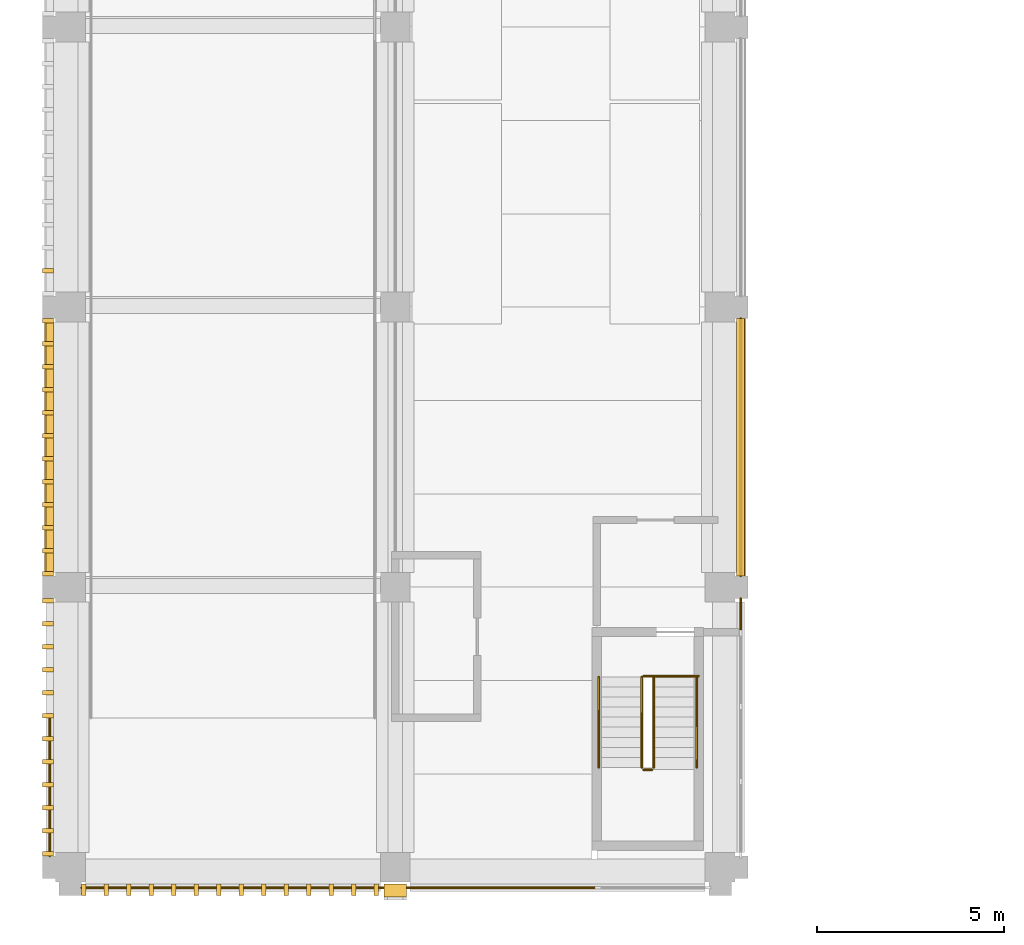
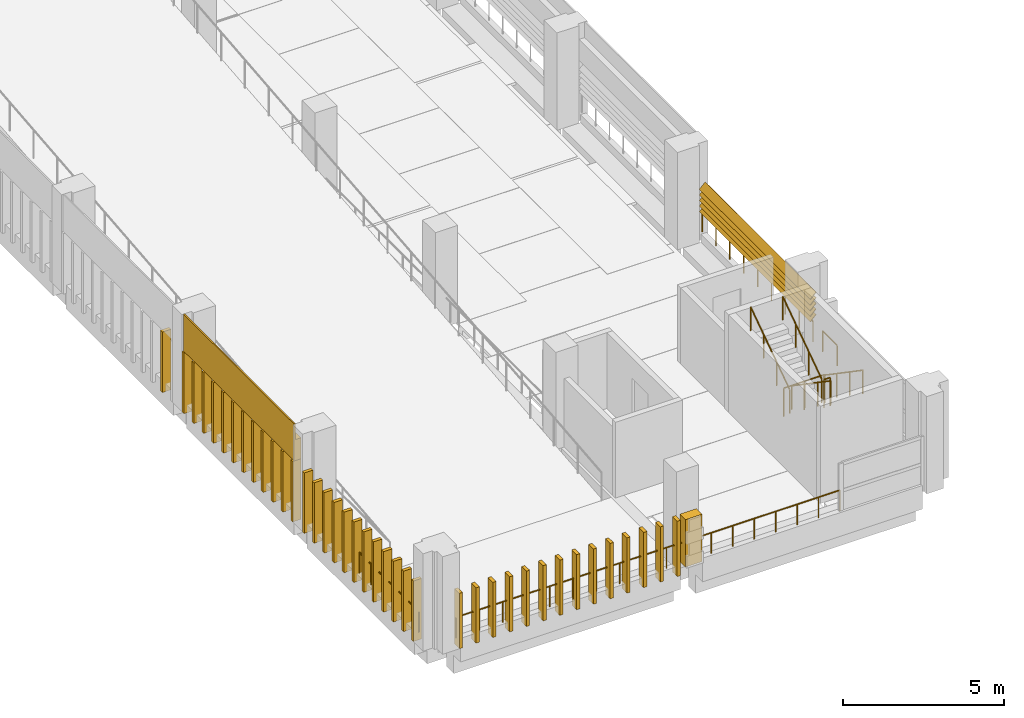
# One storey, part 48 of 62: 41 coverings, 11 railings, 5 shading devices.
"""IFC4 building model written with IfcOpenShell, lengths in metres."""

from ifc_helpers import new_model, si_unit, direction, frame, origin, origin_2d, place, context, subcontext, project, spatial, polyline, circle, outline, extrude, material, layer, layer_set, type_object, element, save


model = new_model("IFC4")

# Units and contexts
model_context = context("Model", 3, precision=1e-05, world=origin(), true_north=direction((0.0, 1.0)))
body_context = subcontext(model_context, "Body", "Model", "MODEL_VIEW")
ifc_project = project(units=[si_unit("LENGTHUNIT", "METRE"), si_unit("AREAUNIT", "SQUARE_METRE"), si_unit("VOLUMEUNIT", "CUBIC_METRE"), si_unit("PLANEANGLEUNIT", "RADIAN"), si_unit("MASSUNIT", "GRAM", prefix="KILO")], contexts=[model_context])

# Site, building, storey
site_placement = place(None, origin())
site = spatial("IfcSite", under=ifc_project, at=site_placement, CompositionType="ELEMENT")
building_placement = place(site_placement, origin())
building = spatial("IfcBuilding", under=site, at=building_placement, Name="Cour d'Honneur Mobility Palace", CompositionType="ELEMENT")
storey_placement = place(building_placement, frame((0.0, 0.0, 19.300048828125)))
storey = spatial("IfcBuildingStorey", under=building, at=storey_placement, Name="L05", CompositionType="ELEMENT", Elevation=19.300048828125)

# Railings
ifc_material_1 = material(Name="Painted steel", Category="steel")
railing_type_1 = type_object("IfcRailingType", Name="Balustrade", PredefinedType="BALUSTRADE", material=ifc_material_1)
railing_1_placement = place(storey_placement, frame((0.300048828125, -0.550048828125, 0.300048828125)))
element("IfcRailing", 1, at=railing_1_placement, inside=storey, type_object=railing_type_1, Name="Balustrade BAL-261", PredefinedType="BALUSTRADE", context=body_context, shape_type="SweptSolid", body=[
    extrude(circle(Radius=0.02392578125, at=origin_2d()), frame((0.0, 0.0, 0.77587890625), z_axis=(1.0, 0.0, 0.0), x_axis=(0.0, 1.0, 0.0)), (0.0, 0.0, 1.0), 8.39990234375),
    extrude(circle(Radius=0.02099609375, at=origin_2d()), origin(), (0.0, 0.0, 1.0), 0.751953125),
    extrude(circle(Radius=0.02099609375, at=origin_2d()), frame((0.840087890625, 0.0, 0.0)), (0.0, 0.0, 1.0), 0.751953125),
    extrude(circle(Radius=0.02099609375, at=origin_2d()), frame((1.679931640625, 0.0, 0.0)), (0.0, 0.0, 1.0), 0.751953125),
    extrude(circle(Radius=0.02099609375, at=origin_2d()), frame((2.52001953125, 0.0, 0.0)), (0.0, 0.0, 1.0), 0.751953125),
    extrude(circle(Radius=0.02099609375, at=origin_2d()), frame((3.35986328125, 0.0, 0.0)), (0.0, 0.0, 1.0), 0.751953125),
    extrude(circle(Radius=0.02099609375, at=origin_2d()), frame((4.199951171875, 0.0, 0.0)), (0.0, 0.0, 1.0), 0.751953125),
    extrude(circle(Radius=0.02099609375, at=origin_2d()), frame((5.0400390625, 0.0, 0.0)), (0.0, 0.0, 1.0), 0.751953125),
    extrude(circle(Radius=0.02099609375, at=origin_2d()), frame((5.8798828125, 0.0, 0.0)), (0.0, 0.0, 1.0), 0.751953125),
    extrude(circle(Radius=0.02099609375, at=origin_2d()), frame((6.719970703125, 0.0, 0.0)), (0.0, 0.0, 1.0), 0.751953125),
    extrude(circle(Radius=0.02099609375, at=origin_2d()), frame((7.559814453125, 0.0, 0.0)), (0.0, 0.0, 1.0), 0.751953125),
    extrude(circle(Radius=0.02099609375, at=origin_2d()), frame((8.39990234375, 0.0, 0.0)), (0.0, 0.0, 1.0), 0.751953125),
])
railing_2_placement = place(storey_placement, frame((8.699951171875, -0.550048828125, 0.300048828125)))
element("IfcRailing", 2, at=railing_2_placement, inside=storey, type_object=railing_type_1, Name="Balustrade BAL-262", PredefinedType="BALUSTRADE", context=body_context, shape_type="SweptSolid", body=[
    extrude(circle(Radius=0.02392578125, at=origin_2d()), frame((0.0, 0.0, 0.77587890625), z_axis=(1.0, 0.0, 0.0), x_axis=(0.0, 1.0, 0.0)), (0.0, 0.0, 1.0), 5.400146484375),
    extrude(circle(Radius=0.02099609375, at=origin_2d()), origin(), (0.0, 0.0, 1.0), 0.751953125),
    extrude(circle(Radius=0.02099609375, at=origin_2d()), frame((0.771484375, 0.0, 0.0)), (0.0, 0.0, 1.0), 0.751953125),
    extrude(circle(Radius=0.02099609375, at=origin_2d()), frame((1.54296875, 0.0, 0.0)), (0.0, 0.0, 1.0), 0.751953125),
    extrude(circle(Radius=0.02099609375, at=origin_2d()), frame((2.314453125, 0.0, 0.0)), (0.0, 0.0, 1.0), 0.751953125),
    extrude(circle(Radius=0.02099609375, at=origin_2d()), frame((3.085693359375, 0.0, 0.0)), (0.0, 0.0, 1.0), 0.751953125),
    extrude(circle(Radius=0.02099609375, at=origin_2d()), frame((3.857177734375, 0.0, 0.0)), (0.0, 0.0, 1.0), 0.751953125),
    extrude(circle(Radius=0.02099609375, at=origin_2d()), frame((4.628662109375, 0.0, 0.0)), (0.0, 0.0, 1.0), 0.751953125),
    extrude(circle(Radius=0.02099609375, at=origin_2d()), frame((5.400146484375, 0.0, 0.0)), (0.0, 0.0, 1.0), 0.751953125),
])
railing_3_placement = place(storey_placement, frame((17.949951171875, 6.300048828125, 0.300048828125)))
element("IfcRailing", 3, at=railing_3_placement, inside=storey, type_object=railing_type_1, Name="Balustrade BAL-263", PredefinedType="BALUSTRADE", context=body_context, shape_type="SweptSolid", body=[
    extrude(circle(Radius=0.02392578125, at=origin_2d()), frame((0.0, 0.0, 0.77587890625), z_axis=(0.0, 1.0, 0.0), x_axis=(-1.0, 0.0, 0.0)), (0.0, 0.0, 1.0), 0.89990234375),
    extrude(circle(Radius=0.02099609375, at=origin_2d()), origin(), (0.0, 0.0, 1.0), 0.751953125),
    extrude(circle(Radius=0.02099609375, at=origin_2d()), frame((0.0, 0.89990234375, 0.0)), (0.0, 0.0, 1.0), 0.751953125),
])
railing_4_placement = place(storey_placement, frame((17.949951171875, 7.800048828125, 0.300048828125)))
element("IfcRailing", 4, at=railing_4_placement, inside=storey, type_object=railing_type_1, Name="Balustrade BAL-264", PredefinedType="BALUSTRADE", context=body_context, shape_type="SweptSolid", body=[
    extrude(circle(Radius=0.02392578125, at=origin_2d()), frame((0.0, 0.0, 0.77587890625), z_axis=(0.0, 1.0, 0.0), x_axis=(-1.0, 0.0, 0.0)), (0.0, 0.0, 1.0), 6.89990234375),
    extrude(circle(Radius=0.02099609375, at=origin_2d()), origin(), (0.0, 0.0, 1.0), 0.751953125),
    extrude(circle(Radius=0.02099609375, at=origin_2d()), frame((0.0, 0.862548828125, 0.0)), (0.0, 0.0, 1.0), 0.751953125),
    extrude(circle(Radius=0.02099609375, at=origin_2d()), frame((0.0, 1.72509765625, 0.0)), (0.0, 0.0, 1.0), 0.751953125),
    extrude(circle(Radius=0.02099609375, at=origin_2d()), frame((0.0, 2.58740234375, 0.0)), (0.0, 0.0, 1.0), 0.751953125),
    extrude(circle(Radius=0.02099609375, at=origin_2d()), frame((0.0, 3.449951171875, 0.0)), (0.0, 0.0, 1.0), 0.751953125),
    extrude(circle(Radius=0.02099609375, at=origin_2d()), frame((0.0, 4.3125, 0.0)), (0.0, 0.0, 1.0), 0.751953125),
    extrude(circle(Radius=0.02099609375, at=origin_2d()), frame((0.0, 5.1748046875, 0.0)), (0.0, 0.0, 1.0), 0.751953125),
    extrude(circle(Radius=0.02099609375, at=origin_2d()), frame((0.0, 6.037353515625, 0.0)), (0.0, 0.0, 1.0), 0.751953125),
    extrude(circle(Radius=0.02099609375, at=origin_2d()), frame((0.0, 6.89990234375, 0.0)), (0.0, 0.0, 1.0), 0.751953125),
])
railing_5_placement = place(storey_placement, frame((-0.550048828125, 4.0, 0.300048828125)))
element("IfcRailing", 5, at=railing_5_placement, inside=storey, type_object=railing_type_1, Name="Balustrade BAL-339", PredefinedType="BALUSTRADE", context=body_context, shape_type="SweptSolid", body=[
    extrude(circle(Radius=0.02392578125, at=origin_2d()), frame((0.0, 0.0, 0.77587890625), z_axis=(0.0, -1.0, 0.0), x_axis=(1.0, 0.0, 0.0)), (0.0, 0.0, 1.0), 3.699951171875),
    extrude(circle(Radius=0.02099609375, at=origin_2d()), origin(), (0.0, 0.0, 1.0), 0.751953125),
    extrude(circle(Radius=0.02099609375, at=origin_2d()), frame((0.0, -0.739990234375, 0.0)), (0.0, 0.0, 1.0), 0.751953125),
    extrude(circle(Radius=0.02099609375, at=origin_2d()), frame((0.0, -1.47998046875, 0.0)), (0.0, 0.0, 1.0), 0.751953125),
    extrude(circle(Radius=0.02099609375, at=origin_2d()), frame((0.0, -2.219970703125, 0.0)), (0.0, 0.0, 1.0), 0.751953125),
    extrude(circle(Radius=0.02099609375, at=origin_2d()), frame((0.0, -2.9599609375, 0.0)), (0.0, 0.0, 1.0), 0.751953125),
    extrude(circle(Radius=0.02099609375, at=origin_2d()), frame((0.0, -3.699951171875, 0.0)), (0.0, 0.0, 1.0), 0.751953125),
])
ifc_material_2 = material(Name="Painted steel", Category="steel")
railing_type_2 = type_object("IfcRailingType", Name="Guardrail 1100", PredefinedType="GUARDRAIL", material=ifc_material_2)
railing_6_placement = place(storey_placement, frame((15.35009765625, 5.1201171875, 0.0)))
element("IfcRailing", 6, at=railing_6_placement, inside=storey, type_object=railing_type_2, Name="Guard ST-RW1", PredefinedType="GUARDRAIL", context=body_context, shape_type="SweptSolid", body=[
    extrude(circle(Radius=0.02490234375, at=origin_2d()), frame((0.0, 0.0, 1.0751953125), z_axis=(1.0, 0.0, 0.0), x_axis=(0.0, 1.0, 0.0)), (0.0, 0.0, 1.0), 1.474853515625),
    extrude(circle(Radius=0.02099609375, at=origin_2d()), origin(), (0.0, 0.0, 1.0), 1.050048828125),
    extrude(circle(Radius=0.02099609375, at=origin_2d()), frame((0.7373046875, 0.0, 0.0)), (0.0, 0.0, 1.0), 1.050048828125),
    extrude(circle(Radius=0.02099609375, at=origin_2d()), frame((1.474853515625, 0.0, 0.0)), (0.0, 0.0, 1.0), 1.050048828125),
])
railing_7_placement = place(storey_placement, frame((15.35009765625, 2.610107421875, 1.849853515625)))
element("IfcRailing", 7, at=railing_7_placement, inside=storey, type_object=railing_type_2, Name="Landing guard ST-RW1", PredefinedType="GUARDRAIL", context=body_context, shape_type="SweptSolid", body=[
    extrude(circle(Radius=0.02490234375, at=origin_2d()), frame((0.0, 0.0, 1.0751953125), z_axis=(1.0, 0.0, 0.0), x_axis=(0.0, 1.0, 0.0)), (0.0, 0.0, 1.0), 0.224853515625),
    extrude(circle(Radius=0.02099609375, at=origin_2d()), origin(), (0.0, 0.0, 1.0), 1.050048828125),
    extrude(circle(Radius=0.02099609375, at=origin_2d()), frame((0.224853515625, 0.0, 0.0)), (0.0, 0.0, 1.0), 1.050048828125),
])
ifc_material_3 = material(Name="Stainless steel", Category="steel")
railing_type_3 = type_object("IfcRailingType", Name="Handrail round 50", PredefinedType="HANDRAIL", material=ifc_material_3)
for number, where, name in (
    (8, (16.77490234375, 5.10009765625, 0.18505859375), "Handrail ST-RW1"),
    (9, (15.625, 5.10009765625, 0.18505859375), "Handrail ST-RW1"),
):
    element("IfcRailing", number, at=place(storey_placement, frame(where)), inside=storey, type_object=railing_type_3, Name=name, PredefinedType="HANDRAIL", context=body_context, shape_type="SweptSolid", body=[
        extrude(circle(Radius=0.02490234375, at=origin_2d()), frame((0.0, 0.0, 0.89501953125), z_axis=(0.0, -0.824983895463, 0.565156237006), x_axis=(1.0, 0.0, 0.0)), (0.0, 0.0, 1.0), 2.94580078125),
        extrude(circle(Radius=0.02099609375, at=origin_2d()), origin(), (0.0, 0.0, 1.0), 0.869873046875),
        extrude(circle(Radius=0.02099609375, at=origin_2d()), frame((0.0, -0.81005859375, 0.554931640625)), (0.0, 0.0, 1.0), 0.869873046875),
        extrude(circle(Radius=0.02099609375, at=origin_2d()), frame((0.0, -1.6201171875, 1.10986328125)), (0.0, 0.0, 1.0), 0.869873046875),
        extrude(circle(Radius=0.02099609375, at=origin_2d()), frame((0.0, -2.43017578125, 1.664794921875)), (0.0, 0.0, 1.0), 0.869873046875),
    ])
for number, where, name in (
    (10, (15.300048828125, 2.669921875, 2.034912109375), "Handrail ST-RW1"),
    (11, (14.14990234375, 2.669921875, 2.034912109375), "Handrail ST-RW1"),
):
    element("IfcRailing", number, at=place(storey_placement, frame(where)), inside=storey, type_object=railing_type_3, Name=name, PredefinedType="HANDRAIL", context=body_context, shape_type="SweptSolid", body=[
        extrude(circle(Radius=0.02490234375, at=origin_2d()), frame((0.0, 0.0, 0.89501953125), z_axis=(0.0, 0.824945253146, 0.565212640793), x_axis=(-1.0, 0.0, 0.0)), (0.0, 0.0, 1.0), 2.94580078125),
        extrude(circle(Radius=0.02099609375, at=origin_2d()), origin(), (0.0, 0.0, 1.0), 0.869873046875),
        extrude(circle(Radius=0.02099609375, at=origin_2d()), frame((0.0, 0.81005859375, 0.554931640625)), (0.0, 0.0, 1.0), 0.869873046875),
        extrude(circle(Radius=0.02099609375, at=origin_2d()), frame((0.0, 1.6201171875, 1.110107421875)), (0.0, 0.0, 1.0), 0.869873046875),
        extrude(circle(Radius=0.02099609375, at=origin_2d()), frame((0.0, 2.43017578125, 1.6650390625)), (0.0, 0.0, 1.0), 0.869873046875),
    ])

# Coverings
ifc_material_4 = material(Name="Cast limestone", Category="masonry")
ifc_layer_1 = layer(ifc_material_4, 0.35009765625)
ifc_layer_set_1 = layer_set([ifc_layer_1], Name="Cast limestone")
covering_type_1 = type_object("IfcCoveringType", Name="Pier pilaster", PredefinedType="CLADDING", material=ifc_layer_set_1)
covering_1_placement = place(storey_placement, frame((0.0, 0.0, 0.300048828125)))
element("IfcCovering", 12, at=covering_1_placement, inside=storey, type_object=covering_type_1, Name="Pier pilaster PN-9", PredefinedType="CLADDING", context=body_context, shape_type="SweptSolid", body=[
    extrude(outline(polyline([(8.39990234375, -0.449951171875), (9.0, -0.449951171875), (9.0, -0.800048828125), (8.39990234375, -0.800048828125), (8.39990234375, -0.449951171875)])), origin(), (0.0, 0.0, 1.0), 1.7998046875),
])
ifc_material_5 = material(Name="Cast limestone", Category="masonry")
ifc_layer_2 = layer(ifc_material_5, 0.1201171875)
ifc_layer_set_2 = layer_set([ifc_layer_2], Name="Cast limestone")
covering_type_2 = type_object("IfcCoveringType", Name="Ramp screen fin", PredefinedType="CLADDING", material=ifc_layer_set_2)
covering_2_placement = place(storey_placement, origin())
element("IfcCovering", 13, at=covering_2_placement, inside=storey, type_object=covering_type_2, Name="Ramp screen fin S0.0 L05 1", PredefinedType="CLADDING", context=body_context, shape_type="SweptSolid", body=[
    extrude(outline(polyline([(0.300048828125, -0.449951171875), (0.419921875, -0.449951171875), (0.419921875, -0.75), (0.300048828125, -0.75), (0.300048828125, -0.449951171875)])), origin(), (0.0, 0.0, 1.0), 2.099853515625),
])
covering_3_placement = place(storey_placement, origin())
element("IfcCovering", 14, at=covering_3_placement, inside=storey, type_object=covering_type_2, Name="Ramp screen fin S0.0 L05 2", PredefinedType="CLADDING", context=body_context, shape_type="SweptSolid", body=[
    extrude(outline(polyline([(0.90234375, -0.449951171875), (1.022216796875, -0.449951171875), (1.022216796875, -0.75), (0.90234375, -0.75), (0.90234375, -0.449951171875)])), origin(), (0.0, 0.0, 1.0), 2.099853515625),
])
covering_4_placement = place(storey_placement, origin())
element("IfcCovering", 15, at=covering_4_placement, inside=storey, type_object=covering_type_2, Name="Ramp screen fin S0.0 L05 3", PredefinedType="CLADDING", context=body_context, shape_type="SweptSolid", body=[
    extrude(outline(polyline([(1.504638671875, -0.449951171875), (1.62451171875, -0.449951171875), (1.62451171875, -0.75), (1.504638671875, -0.75), (1.504638671875, -0.449951171875)])), origin(), (0.0, 0.0, 1.0), 2.099853515625),
])
covering_5_placement = place(storey_placement, origin())
element("IfcCovering", 16, at=covering_5_placement, inside=storey, type_object=covering_type_2, Name="Ramp screen fin S0.0 L05 4", PredefinedType="CLADDING", context=body_context, shape_type="SweptSolid", body=[
    extrude(outline(polyline([(2.10693359375, -0.449951171875), (2.226806640625, -0.449951171875), (2.226806640625, -0.75), (2.10693359375, -0.75), (2.10693359375, -0.449951171875)])), origin(), (0.0, 0.0, 1.0), 2.099853515625),
])
covering_6_placement = place(storey_placement, origin())
element("IfcCovering", 17, at=covering_6_placement, inside=storey, type_object=covering_type_2, Name="Ramp screen fin S0.0 L05 5", PredefinedType="CLADDING", context=body_context, shape_type="SweptSolid", body=[
    extrude(outline(polyline([(2.709228515625, -0.449951171875), (2.829345703125, -0.449951171875), (2.829345703125, -0.75), (2.709228515625, -0.75), (2.709228515625, -0.449951171875)])), origin(), (0.0, 0.0, 1.0), 2.099853515625),
])
covering_7_placement = place(storey_placement, origin())
element("IfcCovering", 18, at=covering_7_placement, inside=storey, type_object=covering_type_2, Name="Ramp screen fin S0.0 L05 6", PredefinedType="CLADDING", context=body_context, shape_type="SweptSolid", body=[
    extrude(outline(polyline([(3.3115234375, -0.449951171875), (3.431640625, -0.449951171875), (3.431640625, -0.75), (3.3115234375, -0.75), (3.3115234375, -0.449951171875)])), origin(), (0.0, 0.0, 1.0), 2.099853515625),
])
covering_8_placement = place(storey_placement, origin())
element("IfcCovering", 19, at=covering_8_placement, inside=storey, type_object=covering_type_2, Name="Ramp screen fin S0.0 L05 7", PredefinedType="CLADDING", context=body_context, shape_type="SweptSolid", body=[
    extrude(outline(polyline([(3.913818359375, -0.449951171875), (4.033935546875, -0.449951171875), (4.033935546875, -0.75), (3.913818359375, -0.75), (3.913818359375, -0.449951171875)])), origin(), (0.0, 0.0, 1.0), 2.099853515625),
])
covering_9_placement = place(storey_placement, origin())
element("IfcCovering", 20, at=covering_9_placement, inside=storey, type_object=covering_type_2, Name="Ramp screen fin S0.0 L05 8", PredefinedType="CLADDING", context=body_context, shape_type="SweptSolid", body=[
    extrude(outline(polyline([(4.51611328125, -0.449951171875), (4.63623046875, -0.449951171875), (4.63623046875, -0.75), (4.51611328125, -0.75), (4.51611328125, -0.449951171875)])), origin(), (0.0, 0.0, 1.0), 2.099853515625),
])
covering_10_placement = place(storey_placement, origin())
element("IfcCovering", 21, at=covering_10_placement, inside=storey, type_object=covering_type_2, Name="Ramp screen fin S0.0 L05 9", PredefinedType="CLADDING", context=body_context, shape_type="SweptSolid", body=[
    extrude(outline(polyline([(5.118408203125, -0.449951171875), (5.238525390625, -0.449951171875), (5.238525390625, -0.75), (5.118408203125, -0.75), (5.118408203125, -0.449951171875)])), origin(), (0.0, 0.0, 1.0), 2.099853515625),
])
covering_11_placement = place(storey_placement, origin())
element("IfcCovering", 22, at=covering_11_placement, inside=storey, type_object=covering_type_2, Name="Ramp screen fin S0.0 L05 10", PredefinedType="CLADDING", context=body_context, shape_type="SweptSolid", body=[
    extrude(outline(polyline([(5.720703125, -0.449951171875), (5.8408203125, -0.449951171875), (5.8408203125, -0.75), (5.720703125, -0.75), (5.720703125, -0.449951171875)])), origin(), (0.0, 0.0, 1.0), 2.099853515625),
])
covering_12_placement = place(storey_placement, origin())
element("IfcCovering", 23, at=covering_12_placement, inside=storey, type_object=covering_type_2, Name="Ramp screen fin S0.0 L05 11", PredefinedType="CLADDING", context=body_context, shape_type="SweptSolid", body=[
    extrude(outline(polyline([(6.322998046875, -0.449951171875), (6.443115234375, -0.449951171875), (6.443115234375, -0.75), (6.322998046875, -0.75), (6.322998046875, -0.449951171875)])), origin(), (0.0, 0.0, 1.0), 2.099853515625),
])
covering_13_placement = place(storey_placement, origin())
element("IfcCovering", 24, at=covering_13_placement, inside=storey, type_object=covering_type_2, Name="Ramp screen fin S0.0 L05 12", PredefinedType="CLADDING", context=body_context, shape_type="SweptSolid", body=[
    extrude(outline(polyline([(6.92529296875, -0.449951171875), (7.04541015625, -0.449951171875), (7.04541015625, -0.75), (6.92529296875, -0.75), (6.92529296875, -0.449951171875)])), origin(), (0.0, 0.0, 1.0), 2.099853515625),
])
covering_14_placement = place(storey_placement, origin())
element("IfcCovering", 25, at=covering_14_placement, inside=storey, type_object=covering_type_2, Name="Ramp screen fin S0.0 L05 13", PredefinedType="CLADDING", context=body_context, shape_type="SweptSolid", body=[
    extrude(outline(polyline([(7.527587890625, -0.449951171875), (7.647705078125, -0.449951171875), (7.647705078125, -0.75), (7.527587890625, -0.75), (7.527587890625, -0.449951171875)])), origin(), (0.0, 0.0, 1.0), 2.099853515625),
])
covering_15_placement = place(storey_placement, origin())
element("IfcCovering", 26, at=covering_15_placement, inside=storey, type_object=covering_type_2, Name="Ramp screen fin S0.0 L05 14", PredefinedType="CLADDING", context=body_context, shape_type="SweptSolid", body=[
    extrude(outline(polyline([(8.1298828125, -0.449951171875), (8.25, -0.449951171875), (8.25, -0.75), (8.1298828125, -0.75), (8.1298828125, -0.449951171875)])), origin(), (0.0, 0.0, 1.0), 2.099853515625),
])
covering_16_placement = place(storey_placement, origin())
element("IfcCovering", 27, at=covering_16_placement, inside=storey, type_object=covering_type_2, Name="Ramp screen fin W3.4 L05 11", PredefinedType="CLADDING", context=body_context, shape_type="SweptSolid", body=[
    extrude(outline(polyline([(-0.449951171875, 16.036376953125), (-0.449951171875, 15.916259765625), (-0.75, 15.916259765625), (-0.75, 16.036376953125), (-0.449951171875, 16.036376953125)])), origin(), (0.0, 0.0, 1.0), 2.300048828125),
])
covering_17_placement = place(storey_placement, origin())
element("IfcCovering", 28, at=covering_17_placement, inside=storey, type_object=covering_type_2, Name="Ramp screen fin W3.5 L05 1", PredefinedType="CLADDING", context=body_context, shape_type="SweptSolid", body=[
    extrude(outline(polyline([(-0.449951171875, 14.699951171875), (-0.449951171875, 14.580078125), (-0.75, 14.580078125), (-0.75, 14.699951171875), (-0.449951171875, 14.699951171875)])), origin(), (0.0, 0.0, 1.0), 2.300048828125),
])
covering_18_placement = place(storey_placement, origin())
element("IfcCovering", 29, at=covering_18_placement, inside=storey, type_object=covering_type_2, Name="Ramp screen fin W3.5 L05 2", PredefinedType="CLADDING", context=body_context, shape_type="SweptSolid", body=[
    extrude(outline(polyline([(-0.449951171875, 14.083740234375), (-0.449951171875, 13.963623046875), (-0.75, 13.963623046875), (-0.75, 14.083740234375), (-0.449951171875, 14.083740234375)])), origin(), (0.0, 0.0, 1.0), 2.300048828125),
])
covering_19_placement = place(storey_placement, origin())
element("IfcCovering", 30, at=covering_19_placement, inside=storey, type_object=covering_type_2, Name="Ramp screen fin W3.5 L05 3", PredefinedType="CLADDING", context=body_context, shape_type="SweptSolid", body=[
    extrude(outline(polyline([(-0.449951171875, 13.46728515625), (-0.449951171875, 13.34716796875), (-0.75, 13.34716796875), (-0.75, 13.46728515625), (-0.449951171875, 13.46728515625)])), origin(), (0.0, 0.0, 1.0), 2.300048828125),
])
covering_20_placement = place(storey_placement, origin())
element("IfcCovering", 31, at=covering_20_placement, inside=storey, type_object=covering_type_2, Name="Ramp screen fin W3.5 L05 4", PredefinedType="CLADDING", context=body_context, shape_type="SweptSolid", body=[
    extrude(outline(polyline([(-0.449951171875, 12.850830078125), (-0.449951171875, 12.73095703125), (-0.75, 12.73095703125), (-0.75, 12.850830078125), (-0.449951171875, 12.850830078125)])), origin(), (0.0, 0.0, 1.0), 2.300048828125),
])
covering_21_placement = place(storey_placement, origin())
element("IfcCovering", 32, at=covering_21_placement, inside=storey, type_object=covering_type_2, Name="Ramp screen fin W3.5 L05 5", PredefinedType="CLADDING", context=body_context, shape_type="SweptSolid", body=[
    extrude(outline(polyline([(-0.449951171875, 12.234619140625), (-0.449951171875, 12.114501953125), (-0.75, 12.114501953125), (-0.75, 12.234619140625), (-0.449951171875, 12.234619140625)])), origin(), (0.0, 0.0, 1.0), 2.300048828125),
])
covering_22_placement = place(storey_placement, origin())
element("IfcCovering", 33, at=covering_22_placement, inside=storey, type_object=covering_type_2, Name="Ramp screen fin W3.5 L05 6", PredefinedType="CLADDING", context=body_context, shape_type="SweptSolid", body=[
    extrude(outline(polyline([(-0.449951171875, 11.6181640625), (-0.449951171875, 11.498291015625), (-0.75, 11.498291015625), (-0.75, 11.6181640625), (-0.449951171875, 11.6181640625)])), origin(), (0.0, 0.0, 1.0), 2.300048828125),
])
covering_23_placement = place(storey_placement, origin())
element("IfcCovering", 34, at=covering_23_placement, inside=storey, type_object=covering_type_2, Name="Ramp screen fin W3.5 L05 7", PredefinedType="CLADDING", context=body_context, shape_type="SweptSolid", body=[
    extrude(outline(polyline([(-0.449951171875, 11.001708984375), (-0.449951171875, 10.8818359375), (-0.75, 10.8818359375), (-0.75, 11.001708984375), (-0.449951171875, 11.001708984375)])), origin(), (0.0, 0.0, 1.0), 2.300048828125),
])
covering_24_placement = place(storey_placement, origin())
element("IfcCovering", 35, at=covering_24_placement, inside=storey, type_object=covering_type_2, Name="Ramp screen fin W3.5 L05 8", PredefinedType="CLADDING", context=body_context, shape_type="SweptSolid", body=[
    extrude(outline(polyline([(-0.449951171875, 10.385498046875), (-0.449951171875, 10.265380859375), (-0.75, 10.265380859375), (-0.75, 10.385498046875), (-0.449951171875, 10.385498046875)])), origin(), (0.0, 0.0, 1.0), 2.300048828125),
])
covering_25_placement = place(storey_placement, origin())
element("IfcCovering", 36, at=covering_25_placement, inside=storey, type_object=covering_type_2, Name="Ramp screen fin W3.5 L05 9", PredefinedType="CLADDING", context=body_context, shape_type="SweptSolid", body=[
    extrude(outline(polyline([(-0.449951171875, 9.76904296875), (-0.449951171875, 9.649169921875), (-0.75, 9.649169921875), (-0.75, 9.76904296875), (-0.449951171875, 9.76904296875)])), origin(), (0.0, 0.0, 1.0), 2.300048828125),
])
covering_26_placement = place(storey_placement, origin())
element("IfcCovering", 37, at=covering_26_placement, inside=storey, type_object=covering_type_2, Name="Ramp screen fin W3.5 L05 10", PredefinedType="CLADDING", context=body_context, shape_type="SweptSolid", body=[
    extrude(outline(polyline([(-0.449951171875, 9.15283203125), (-0.449951171875, 9.03271484375), (-0.75, 9.03271484375), (-0.75, 9.15283203125), (-0.449951171875, 9.15283203125)])), origin(), (0.0, 0.0, 1.0), 2.300048828125),
])
covering_27_placement = place(storey_placement, origin())
element("IfcCovering", 38, at=covering_27_placement, inside=storey, type_object=covering_type_2, Name="Ramp screen fin W3.5 L05 11", PredefinedType="CLADDING", context=body_context, shape_type="SweptSolid", body=[
    extrude(outline(polyline([(-0.449951171875, 8.536376953125), (-0.449951171875, 8.416259765625), (-0.75, 8.416259765625), (-0.75, 8.536376953125), (-0.449951171875, 8.536376953125)])), origin(), (0.0, 0.0, 1.0), 2.300048828125),
])
covering_28_placement = place(storey_placement, origin())
element("IfcCovering", 39, at=covering_28_placement, inside=storey, type_object=covering_type_2, Name="Ramp screen fin W3.5 L05 12", PredefinedType="CLADDING", context=body_context, shape_type="SweptSolid", body=[
    extrude(outline(polyline([(-0.449951171875, 7.919921875), (-0.449951171875, 7.800048828125), (-0.75, 7.800048828125), (-0.75, 7.919921875), (-0.449951171875, 7.919921875)])), origin(), (0.0, 0.0, 1.0), 2.300048828125),
])
covering_29_placement = place(storey_placement, origin())
element("IfcCovering", 40, at=covering_29_placement, inside=storey, type_object=covering_type_2, Name="Ramp screen fin W3.6 L05 1", PredefinedType="CLADDING", context=body_context, shape_type="SweptSolid", body=[
    extrude(outline(polyline([(-0.449951171875, 7.199951171875), (-0.449951171875, 7.080078125), (-0.75, 7.080078125), (-0.75, 7.199951171875), (-0.449951171875, 7.199951171875)])), origin(), (0.0, 0.0, 1.0), 2.300048828125),
])
covering_30_placement = place(storey_placement, origin())
element("IfcCovering", 41, at=covering_30_placement, inside=storey, type_object=covering_type_2, Name="Ramp screen fin W3.6 L05 2", PredefinedType="CLADDING", context=body_context, shape_type="SweptSolid", body=[
    extrude(outline(polyline([(-0.449951171875, 6.583740234375), (-0.449951171875, 6.463623046875), (-0.75, 6.463623046875), (-0.75, 6.583740234375), (-0.449951171875, 6.583740234375)])), origin(), (0.0, 0.0, 1.0), 2.300048828125),
])
covering_31_placement = place(storey_placement, origin())
element("IfcCovering", 42, at=covering_31_placement, inside=storey, type_object=covering_type_2, Name="Ramp screen fin W3.6 L05 3", PredefinedType="CLADDING", context=body_context, shape_type="SweptSolid", body=[
    extrude(outline(polyline([(-0.449951171875, 5.96728515625), (-0.449951171875, 5.84716796875), (-0.75, 5.84716796875), (-0.75, 5.96728515625), (-0.449951171875, 5.96728515625)])), origin(), (0.0, 0.0, 1.0), 2.300048828125),
])
covering_32_placement = place(storey_placement, origin())
element("IfcCovering", 43, at=covering_32_placement, inside=storey, type_object=covering_type_2, Name="Ramp screen fin W3.6 L05 4", PredefinedType="CLADDING", context=body_context, shape_type="SweptSolid", body=[
    extrude(outline(polyline([(-0.449951171875, 5.350830078125), (-0.449951171875, 5.23095703125), (-0.75, 5.23095703125), (-0.75, 5.350830078125), (-0.449951171875, 5.350830078125)])), origin(), (0.0, 0.0, 1.0), 2.300048828125),
])
covering_33_placement = place(storey_placement, origin())
element("IfcCovering", 44, at=covering_33_placement, inside=storey, type_object=covering_type_2, Name="Ramp screen fin W3.6 L05 5", PredefinedType="CLADDING", context=body_context, shape_type="SweptSolid", body=[
    extrude(outline(polyline([(-0.449951171875, 4.734619140625), (-0.449951171875, 4.614501953125), (-0.75, 4.614501953125), (-0.75, 4.734619140625), (-0.449951171875, 4.734619140625)])), origin(), (0.0, 0.0, 1.0), 2.300048828125),
])
covering_34_placement = place(storey_placement, origin())
element("IfcCovering", 45, at=covering_34_placement, inside=storey, type_object=covering_type_2, Name="Ramp screen fin W3.6 L05 6", PredefinedType="CLADDING", context=body_context, shape_type="SweptSolid", body=[
    extrude(outline(polyline([(-0.449951171875, 4.1181640625), (-0.449951171875, 3.998291015625), (-0.75, 3.998291015625), (-0.75, 4.1181640625), (-0.449951171875, 4.1181640625)])), origin(), (0.0, 0.0, 1.0), 2.300048828125),
])
covering_35_placement = place(storey_placement, origin())
element("IfcCovering", 46, at=covering_35_placement, inside=storey, type_object=covering_type_2, Name="Ramp screen fin W3.6 L05 7", PredefinedType="CLADDING", context=body_context, shape_type="SweptSolid", body=[
    extrude(outline(polyline([(-0.449951171875, 3.501708984375), (-0.449951171875, 3.3818359375), (-0.75, 3.3818359375), (-0.75, 3.501708984375), (-0.449951171875, 3.501708984375)])), origin(), (0.0, 0.0, 1.0), 2.300048828125),
])
covering_36_placement = place(storey_placement, origin())
element("IfcCovering", 47, at=covering_36_placement, inside=storey, type_object=covering_type_2, Name="Ramp screen fin W3.6 L05 8", PredefinedType="CLADDING", context=body_context, shape_type="SweptSolid", body=[
    extrude(outline(polyline([(-0.449951171875, 2.885498046875), (-0.449951171875, 2.765380859375), (-0.75, 2.765380859375), (-0.75, 2.885498046875), (-0.449951171875, 2.885498046875)])), origin(), (0.0, 0.0, 1.0), 2.300048828125),
])
covering_37_placement = place(storey_placement, origin())
element("IfcCovering", 48, at=covering_37_placement, inside=storey, type_object=covering_type_2, Name="Ramp screen fin W3.6 L05 9", PredefinedType="CLADDING", context=body_context, shape_type="SweptSolid", body=[
    extrude(outline(polyline([(-0.449951171875, 2.26904296875), (-0.449951171875, 2.149169921875), (-0.75, 2.149169921875), (-0.75, 2.26904296875), (-0.449951171875, 2.26904296875)])), origin(), (0.0, 0.0, 1.0), 2.300048828125),
])
covering_38_placement = place(storey_placement, origin())
element("IfcCovering", 49, at=covering_38_placement, inside=storey, type_object=covering_type_2, Name="Ramp screen fin W3.6 L05 10", PredefinedType="CLADDING", context=body_context, shape_type="SweptSolid", body=[
    extrude(outline(polyline([(-0.449951171875, 1.65283203125), (-0.449951171875, 1.53271484375), (-0.75, 1.53271484375), (-0.75, 1.65283203125), (-0.449951171875, 1.65283203125)])), origin(), (0.0, 0.0, 1.0), 2.300048828125),
])
covering_39_placement = place(storey_placement, origin())
element("IfcCovering", 50, at=covering_39_placement, inside=storey, type_object=covering_type_2, Name="Ramp screen fin W3.6 L05 11", PredefinedType="CLADDING", context=body_context, shape_type="SweptSolid", body=[
    extrude(outline(polyline([(-0.449951171875, 1.036376953125), (-0.449951171875, 0.916259765625), (-0.75, 0.916259765625), (-0.75, 1.036376953125), (-0.449951171875, 1.036376953125)])), origin(), (0.0, 0.0, 1.0), 2.300048828125),
])
covering_40_placement = place(storey_placement, origin())
element("IfcCovering", 51, at=covering_40_placement, inside=storey, type_object=covering_type_2, Name="Ramp screen fin W3.6 L05 12", PredefinedType="CLADDING", context=body_context, shape_type="SweptSolid", body=[
    extrude(outline(polyline([(-0.449951171875, 0.419921875), (-0.449951171875, 0.300048828125), (-0.75, 0.300048828125), (-0.75, 0.419921875), (-0.449951171875, 0.419921875)])), origin(), (0.0, 0.0, 1.0), 2.300048828125),
])
ifc_material_6 = material(Name="Cast limestone", Category="masonry")
ifc_layer_3 = layer(ifc_material_6, 0.25)
ifc_layer_set_3 = layer_set([ifc_layer_3], Name="Cast limestone")
covering_type_3 = type_object("IfcCoveringType", Name="Spandrel cladding", PredefinedType="CLADDING", material=ifc_layer_set_3)
covering_41_placement = place(storey_placement, frame((-0.449951171875, 14.699951171875, 2.300048828125), z_axis=(0.0, 1.0, 0.0), x_axis=(-1.0, 0.0, 0.0)))
element("IfcCovering", 52, at=covering_41_placement, inside=storey, type_object=covering_type_3, Name="Spandrel cladding SK-352", PredefinedType="CLADDING", context=body_context, shape_type="SweptSolid", body=[
    extrude(outline(polyline([(0.0, 0.0), (0.25, 0.0), (0.25, 1.39990234375), (0.199951171875, 1.39990234375), (0.199951171875, 0.7998046875), (0.0, 0.7998046875), (0.0, 0.0)])), origin(), (0.0, 0.0, -1.0), 6.89990234375),
])

# Shading devices
ifc_material_7 = material(Name="Terracotta", Category="masonry")
ifc_layer_4 = layer(ifc_material_7, 0.02490234375)
ifc_layer_set_4 = layer_set([ifc_layer_4], Name="Terracotta")
shading_device_type = type_object("IfcShadingDeviceType", Name="Terracotta louvre blade", PredefinedType="JALOUSIE", material=ifc_layer_set_4)
for number, where, z_axis, x_axis, name in (
    (53, (17.843994140625, 7.800048828125, 1.099853515625), (-0.707106781187, 0.0, 0.707106781187), (0.0, 1.0, 0.0), "Louvre blade LV-1 E1.1 L05 1"),
    (54, (17.843994140625, 7.800048828125, 1.31201171875), (-0.707106781187, 0.0, 0.707106781187), (0.0, 1.0, 0.0), "Louvre blade LV-1 E1.1 L05 2"),
    (55, (17.843994140625, 7.800048828125, 1.524169921875), (-0.707106781187, 0.0, 0.707106781187), (0.0, 1.0, 0.0), "Louvre blade LV-1 E1.1 L05 3"),
    (56, (17.843994140625, 7.800048828125, 1.736328125), (-0.707106781187, 0.0, 0.707106781187), (0.0, 1.0, 0.0), "Louvre blade LV-1 E1.1 L05 4"),
    (57, (17.843994140625, 7.800048828125, 1.948486328125), (-0.707106781187, 0.0, 0.707106781187), (0.0, 1.0, 0.0), "Louvre blade LV-1 E1.1 L05 5"),
):
    element("IfcShadingDevice", number, at=place(storey_placement, frame(where, z_axis=z_axis, x_axis=x_axis)), inside=storey, type_object=shading_device_type, Name=name, PredefinedType="JALOUSIE", context=body_context, shape_type="SweptSolid", body=[
        extrude(outline(polyline([(0.0, 0.0), (6.89990234375, 0.0), (6.89990234375, -0.300037008228081), (0.0, -0.300037008228081), (0.0, 0.0)])), origin(), (0.0, 0.0, -1.0), 0.02490234375),
    ])

save(model, "model.ifc")
